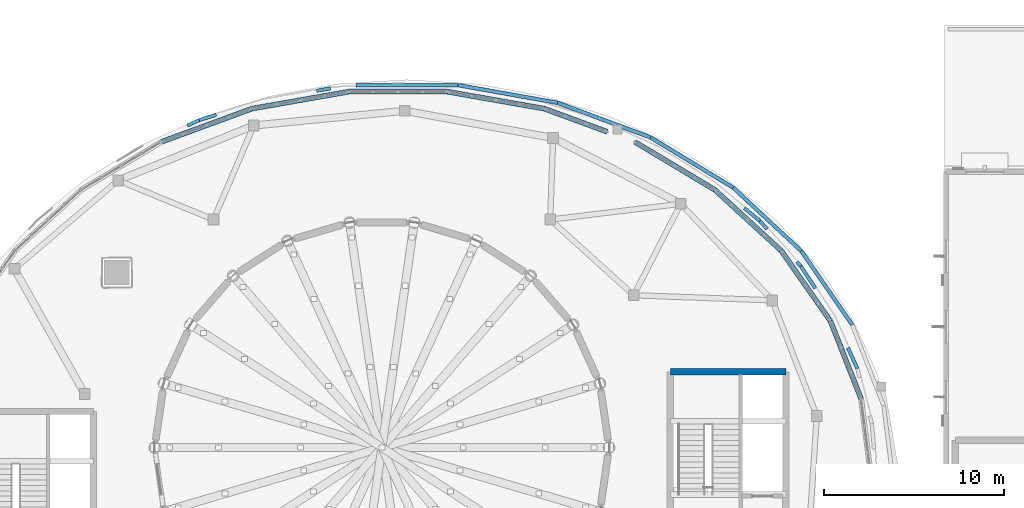
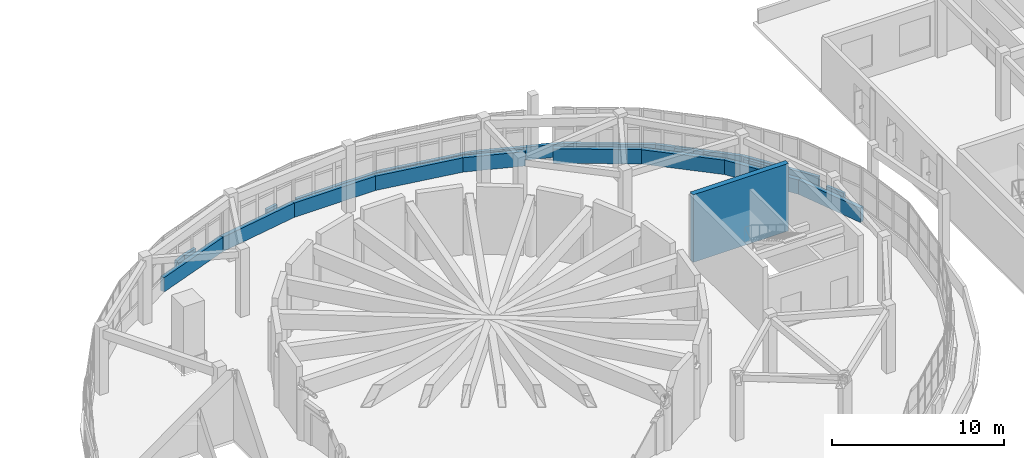
# One storey, part 60 of 69: 24 walls.
"""IFC4 building model written with IfcOpenShell, lengths in metres."""

from ifc_helpers import new_model, si_unit, direction, frame, frame_2d, origin, place, context, subcontext, project, spatial, rectangle, extrude, material, layer, layer_set, type_object, element, save


model = new_model("IFC4")

# Units and contexts
model_context = context("Model", 3, precision=1e-05, world=origin(), true_north=direction((0.0, 1.0)))
body_context = subcontext(model_context, "Body", "Model", "MODEL_VIEW")
ifc_project = project(units=[si_unit("LENGTHUNIT", "METRE"), si_unit("AREAUNIT", "SQUARE_METRE"), si_unit("VOLUMEUNIT", "CUBIC_METRE"), si_unit("PLANEANGLEUNIT", "RADIAN"), si_unit("MASSUNIT", "GRAM", prefix="KILO")], contexts=[model_context])

# Site, building, storey
site_placement = place(None, origin())
site = spatial("IfcSite", under=ifc_project, at=site_placement, CompositionType="ELEMENT")
building_placement = place(site_placement, origin())
building = spatial("IfcBuilding", under=site, at=building_placement, Name="Pelvatis Terrace Science Centre", CompositionType="ELEMENT")
storey_placement = place(building_placement, frame((0.0, 0.0, 15.0)))
storey = spatial("IfcBuildingStorey", under=building, at=storey_placement, Name="L03", CompositionType="ELEMENT", Elevation=15.0)

# Walls
ifc_material_1 = material(Name="White architectural precast concrete C40/50 spandrel", Category="concrete")
ifc_layer_1 = layer(ifc_material_1, 0.27490234375)
ifc_layer_set_1 = layer_set([ifc_layer_1], Name="White architectural precast concrete C40/50 spandrel")
wall_type_1 = type_object("IfcWallType", Name="WL-EXT-SPND-275", PredefinedType="SOLIDWALL", material=ifc_layer_set_1)
wall_1_placement = place(storey_placement, frame((135.7763671875, 88.501220703125, 0.0), z_axis=(0.0, 0.0, 1.0), x_axis=(-0.366527286819, 0.930407302216, 0.0)))
element("IfcWall", 1, at=wall_1_placement, inside=storey, type_object=wall_type_1, Name="V1 white spiral spandrel band 02 (L03)", PredefinedType="SOLIDWALL", context=body_context, shape_type="SweptSolid", body=[
    extrude(rectangle(XDim=4.626708984375, YDim=0.27490234375, at=frame_2d((2.3134765625, 0.0))), origin(), (0.0, 0.0, 1.0), 1.02001953125),
])
wall_2_placement = place(storey_placement, frame((134.08056640625, 92.805908203125, 0.0), z_axis=(0.0, 0.0, 1.0), x_axis=(-0.573479467005, 0.819219934403, 0.0)))
element("IfcWall", 2, at=wall_2_placement, inside=storey, type_object=wall_type_1, Name="V1 white spiral spandrel band 03 (L03)", PredefinedType="SOLIDWALL", context=body_context, shape_type="SweptSolid", body=[
    extrude(rectangle(XDim=4.78466796875, YDim=0.27490234375, at=frame_2d((2.392333984375, 0.0))), origin(), (0.0, 0.0, 1.0), 1.02001953125),
])
wall_3_placement = place(storey_placement, frame((131.336669921875, 96.7255859375, 0.0), z_axis=(0.0, 0.0, 1.0), x_axis=(-0.737390172556, 0.675467048358, 0.0)))
element("IfcWall", 3, at=wall_3_placement, inside=storey, type_object=wall_type_1, Name="V1 white spiral spandrel band 04 (L03)", PredefinedType="SOLIDWALL", context=body_context, shape_type="SweptSolid", body=[
    extrude(rectangle(XDim=4.9794921875, YDim=0.27490234375, at=frame_2d((2.48974609375, 0.0))), origin(), (0.0, 0.0, 1.0), 1.02001953125),
])
wall_4_placement = place(storey_placement, frame((127.664794921875, 100.089111328125, 0.0), z_axis=(0.0, 0.0, 1.0), x_axis=(-0.85778413156, 0.514010100721, 0.0)))
element("IfcWall", 4, at=wall_4_placement, inside=storey, type_object=wall_type_1, Name="V1 white spiral spandrel band 05 (L03)", PredefinedType="SOLIDWALL", context=body_context, shape_type="SweptSolid", body=[
    extrude(rectangle(XDim=5.17578125, YDim=0.27490234375, at=frame_2d((2.587890625, 0.0))), origin(), (0.0, 0.0, 1.0), 1.02001953125),
])
wall_5_placement = place(storey_placement, frame((121.69189453125, 103.312255859375, 0.0), z_axis=(0.0, 0.0, 1.0), x_axis=(-0.938702378621, 0.34472865325, 0.0)))
element("IfcWall", 5, at=wall_5_placement, inside=storey, type_object=wall_type_1, Name="V1 white spiral spandrel band 06 (L03)", PredefinedType="SOLIDWALL", context=body_context, shape_type="SweptSolid", body=[
    extrude(rectangle(XDim=3.70751953125, YDim=0.27490234375, at=frame_2d((1.853759765625, 0.0))), origin(), (0.0, 0.0, 1.0), 1.02001953125),
])
wall_6_placement = place(storey_placement, frame((118.211669921875, 104.59033203125, 0.0), z_axis=(0.0, 0.0, 1.0), x_axis=(-0.98497374146, 0.172704165075, 0.0)))
element("IfcWall", 6, at=wall_6_placement, inside=storey, type_object=wall_type_1, Name="V1 white spiral spandrel band 07 (L03)", PredefinedType="SOLIDWALL", context=body_context, shape_type="SweptSolid", body=[
    extrude(rectangle(XDim=5.449462890625, YDim=0.27490234375, at=frame_2d((2.724609375, 0.0))), origin(), (0.0, 0.0, 1.0), 1.02001953125),
])
wall_7_placement = place(storey_placement, frame((112.843994140625, 105.531494140625, 0.0), z_axis=(0.0, 0.0, 1.0), x_axis=(-1.0, 0.0, 0.0)))
element("IfcWall", 7, at=wall_7_placement, inside=storey, type_object=wall_type_1, Name="V1 white spiral spandrel band 08 (L03)", PredefinedType="SOLIDWALL", context=body_context, shape_type="SweptSolid", body=[
    extrude(rectangle(XDim=5.48779296875, YDim=0.27490234375, at=frame_2d((2.743896484375, 0.0))), origin(), (0.0, 0.0, 1.0), 1.02001953125),
])
wall_8_placement = place(storey_placement, frame((107.356201171875, 105.531494140625, 0.0), z_axis=(0.0, 0.0, 1.0), x_axis=(-0.98497507761, -0.172696544512, 0.0)))
element("IfcWall", 8, at=wall_8_placement, inside=storey, type_object=wall_type_1, Name="V1 white spiral spandrel band 09 (L03)", PredefinedType="SOLIDWALL", context=body_context, shape_type="SweptSolid", body=[
    extrude(rectangle(XDim=5.44970703125, YDim=0.27490234375, at=frame_2d((2.724853515625, 0.0))), origin(), (0.0, 0.0, 1.0), 1.02001953125),
])
wall_9_placement = place(storey_placement, frame((101.98828125, 104.59033203125, 0.0), z_axis=(0.0, 0.0, 1.0), x_axis=(-0.938715650926, -0.344692510372, 0.0)))
element("IfcWall", 9, at=wall_9_placement, inside=storey, type_object=wall_type_1, Name="V1 white spiral spandrel band 10 (L03)", PredefinedType="SOLIDWALL", context=body_context, shape_type="SweptSolid", body=[
    extrude(rectangle(XDim=5.340576171875, YDim=0.27490234375, at=frame_2d((2.67041015625, 0.0))), origin(), (0.0, 0.0, 1.0), 1.02001953125),
])
ifc_material_2 = material(Name="White architectural precast concrete C40/50 spandrel parapet", Category="concrete")
ifc_layer_2 = layer(ifc_material_2, 0.18994140625)
ifc_layer_set_2 = layer_set([ifc_layer_2], Name="White architectural precast concrete C40/50 spandrel parapet")
wall_type_2 = type_object("IfcWallType", Name="WL-PAR-190", PredefinedType="PARAPET", material=ifc_layer_set_2)
wall_10_placement = place(storey_placement, frame((98.412109375, 103.657958984375, 0.0), z_axis=(0.0, 0.0, 1.0), x_axis=(0.911288901475, 0.411767577704, 0.0)))
element("IfcWall", 10, at=wall_10_placement, inside=storey, type_object=wall_type_2, Name="Perimeter edge closure parapet PW-EDG-L03-347", PredefinedType="PARAPET", context=body_context, shape_type="SweptSolid", body=[
    extrude(rectangle(XDim=0.723388671875, YDim=0.18994140625, at=frame_2d((0.36181640625, 0.0))), origin(), (0.0, 0.0, 1.0), 1.1201171875),
])
wall_11_placement = place(storey_placement, frame((99.0712890625, 103.955810546875, 0.0), z_axis=(0.0, 0.0, 1.0), x_axis=(0.95560839763, 0.294639763745, 0.0)))
element("IfcWall", 11, at=wall_11_placement, inside=storey, type_object=wall_type_2, Name="Perimeter edge closure parapet PW-EDG-L03-348", PredefinedType="PARAPET", context=body_context, shape_type="SweptSolid", body=[
    extrude(rectangle(XDim=0.990966796875, YDim=0.18994140625, at=frame_2d((0.49560546875, 0.0))), origin(), (0.0, 0.0, 1.0), 1.1201171875),
])
wall_12_placement = place(storey_placement, frame((105.580810546875, 105.5830078125, 0.0), z_axis=(0.0, 0.0, 1.0), x_axis=(0.984930912883, 0.172948249045, 0.0)))
element("IfcWall", 12, at=wall_12_placement, inside=storey, type_object=wall_type_2, Name="Perimeter edge closure parapet PW-EDG-L03-349", PredefinedType="PARAPET", context=body_context, shape_type="SweptSolid", body=[
    extrude(rectangle(XDim=0.781982421875, YDim=0.18994140625, at=frame_2d((0.39111328125, 0.0))), origin(), (0.0, 0.0, 1.0), 1.1201171875),
])
wall_13_placement = place(storey_placement, frame((129.302001953125, 99.07421875, 0.0), z_axis=(0.0, 0.0, 1.0), x_axis=(0.770512947106, -0.637424347152, 0.0)))
element("IfcWall", 13, at=wall_13_placement, inside=storey, type_object=wall_type_2, Name="Perimeter edge closure parapet PW-EDG-L03-350", PredefinedType="PARAPET", context=body_context, shape_type="SweptSolid", body=[
    extrude(rectangle(XDim=1.115234375, YDim=0.18994140625, at=frame_2d((0.5576171875, 0.0))), origin(), (0.0, 0.0, 1.0), 1.1201171875),
])
wall_14_placement = place(storey_placement, frame((130.161376953125, 98.36328125, 0.0), z_axis=(0.0, 0.0, 1.0), x_axis=(0.671199650785, -0.741276620963, 0.0)))
element("IfcWall", 14, at=wall_14_placement, inside=storey, type_object=wall_type_2, Name="Perimeter edge closure parapet PW-EDG-L03-351", PredefinedType="PARAPET", context=body_context, shape_type="SweptSolid", body=[
    extrude(rectangle(XDim=0.602783203125, YDim=0.18994140625, at=frame_2d((0.30126953125, 0.0))), origin(), (0.0, 0.0, 1.0), 1.1201171875),
])
wall_15_placement = place(storey_placement, frame((132.21435546875, 96.09521484375, 0.0), z_axis=(0.0, 0.0, 1.0), x_axis=(0.670853573521, -0.741589834675, 0.0)))
element("IfcWall", 15, at=wall_15_placement, inside=storey, type_object=wall_type_2, Name="Perimeter edge closure parapet PW-EDG-L03-352", PredefinedType="PARAPET", context=body_context, shape_type="SweptSolid", body=[
    extrude(rectangle(XDim=0.321044921875, YDim=0.18994140625, at=frame_2d((0.16064453125, 0.0))), origin(), (0.0, 0.0, 1.0), 1.1201171875),
])
wall_16_placement = place(storey_placement, frame((132.4296875, 95.857177734375, 0.0), z_axis=(0.0, 0.0, 1.0), x_axis=(0.551013504073, -0.834496326133, 0.0)))
element("IfcWall", 16, at=wall_16_placement, inside=storey, type_object=wall_type_2, Name="Perimeter edge closure parapet PW-EDG-L03-353", PredefinedType="PARAPET", context=body_context, shape_type="SweptSolid", body=[
    extrude(rectangle(XDim=1.46923828125, YDim=0.18994140625, at=frame_2d((0.734619140625, 0.0))), origin(), (0.0, 0.0, 1.0), 1.1201171875),
])
wall_17_placement = place(storey_placement, frame((135.04638671875, 91.32958984375, 0.0), z_axis=(0.0, 0.0, 1.0), x_axis=(0.411063667156, -0.911606637506, 0.0)))
element("IfcWall", 17, at=wall_17_placement, inside=storey, type_object=wall_type_2, Name="Perimeter edge closure parapet PW-EDG-L03-354", PredefinedType="PARAPET", context=body_context, shape_type="SweptSolid", body=[
    extrude(rectangle(XDim=1.26318359375, YDim=0.18994140625, at=frame_2d((0.631591796875, 0.0))), origin(), (0.0, 0.0, 1.0), 1.1201171875),
])
ifc_material_3 = material(Name="White architectural precast concrete C40/50 spandrel parapet", Category="concrete")
ifc_layer_3 = layer(ifc_material_3, 0.205078125)
ifc_layer_set_3 = layer_set([ifc_layer_3], Name="White architectural precast concrete C40/50 spandrel parapet")
wall_type_3 = type_object("IfcWallType", Name="WL-PAR-205", PredefinedType="PARAPET", material=ifc_layer_set_3)
wall_18_placement = place(storey_placement, frame((135.283935546875, 92.600341796875, 0.0), z_axis=(0.0, 0.0, 1.0), x_axis=(-0.567700844987, 0.823234930382, 0.0)))
element("IfcWall", 18, at=wall_18_placement, inside=storey, type_object=wall_type_3, Name="White spiral ring parapet PW-CRV-L03-077", PredefinedType="PARAPET", context=body_context, shape_type="SweptSolid", body=[
    extrude(rectangle(XDim=4.974853515625, YDim=0.205078125, at=frame_2d((2.4873046875, 0.0))), origin(), (0.0, 0.0, 1.0), 0.919921875),
])
wall_19_placement = place(storey_placement, frame((132.459716796875, 96.69580078125, 0.0), z_axis=(0.0, 0.0, 1.0), x_axis=(-0.732372144551, 0.680904576196, 0.0)))
element("IfcWall", 19, at=wall_19_placement, inside=storey, type_object=wall_type_3, Name="White spiral ring parapet PW-CRV-L03-078", PredefinedType="PARAPET", context=body_context, shape_type="SweptSolid", body=[
    extrude(rectangle(XDim=5.1611328125, YDim=0.205078125, at=frame_2d((2.58056640625, 0.0))), origin(), (0.0, 0.0, 1.0), 0.919921875),
])
wall_20_placement = place(storey_placement, frame((128.679931640625, 100.2099609375, 0.0), z_axis=(0.0, 0.0, 1.0), x_axis=(-0.85437214563, 0.519661656053, 0.0)))
element("IfcWall", 20, at=wall_20_placement, inside=storey, type_object=wall_type_3, Name="White spiral ring parapet PW-CRV-L03-079", PredefinedType="PARAPET", context=body_context, shape_type="SweptSolid", body=[
    extrude(rectangle(XDim=5.3486328125, YDim=0.205078125, at=frame_2d((2.67431640625, 0.0))), origin(), (0.0, 0.0, 1.0), 0.919921875),
])
wall_21_placement = place(storey_placement, frame((124.110107421875, 102.989501953125, 0.0), z_axis=(0.0, 0.0, 1.0), x_axis=(-0.93703234102, 0.349242597462, 0.0)))
element("IfcWall", 21, at=wall_21_placement, inside=storey, type_object=wall_type_3, Name="White spiral ring parapet PW-CRV-L03-080", PredefinedType="PARAPET", context=body_context, shape_type="SweptSolid", body=[
    extrude(rectangle(XDim=5.507080078125, YDim=0.205078125, at=frame_2d((2.75341796875, 0.0))), origin(), (0.0, 0.0, 1.0), 0.919921875),
])
wall_22_placement = place(storey_placement, frame((118.94970703125, 104.912841796875, 0.0), z_axis=(0.0, 0.0, 1.0), x_axis=(-0.984536008013, 0.175182330517, 0.0)))
element("IfcWall", 22, at=wall_22_placement, inside=storey, type_object=wall_type_3, Name="White spiral ring parapet PW-CRV-L03-081", PredefinedType="PARAPET", context=body_context, shape_type="SweptSolid", body=[
    extrude(rectangle(XDim=5.612060546875, YDim=0.205078125, at=frame_2d((2.80615234375, 0.0))), origin(), (0.0, 0.0, 1.0), 0.919921875),
])
wall_23_placement = place(storey_placement, frame((113.42431640625, 105.89599609375, 0.0), z_axis=(0.0, 0.0, 1.0), x_axis=(-1.0, 0.0, 0.0)))
element("IfcWall", 23, at=wall_23_placement, inside=storey, type_object=wall_type_3, Name="White spiral ring parapet PW-CRV-L03-082", PredefinedType="PARAPET", context=body_context, shape_type="SweptSolid", body=[
    extrude(rectangle(XDim=5.648681640625, YDim=0.205078125, at=frame_2d((2.82421875, 0.0))), origin(), (0.0, 0.0, 1.0), 0.919921875),
])
ifc_material_4 = material(Name="Concrete C40/50", Category="concrete")
ifc_layer_4 = layer(ifc_material_4, 0.35009765625)
ifc_layer_set_4 = layer_set([ifc_layer_4], Name="Concrete C40/50")
wall_type_4 = type_object("IfcWallType", Name="WL-SHR-350", PredefinedType="SHEAR", material=ifc_layer_set_4)
wall_24_placement = place(storey_placement, frame((125.199951171875, 90.0, 0.0), z_axis=(0.0, 0.0, 1.0), x_axis=(1.0, 0.0, 0.0)))
element("IfcWall", 24, at=wall_24_placement, inside=storey, type_object=wall_type_4, Name="Core C2 shear wall N (L03)", PredefinedType="SHEAR", context=body_context, shape_type="SweptSolid", body=[
    extrude(rectangle(XDim=6.400146484375, YDim=0.35009765625, at=frame_2d((3.2001953125, 0.0))), origin(), (0.0, 0.0, 1.0), 4.800048828125),
])

save(model, "model.ifc")
